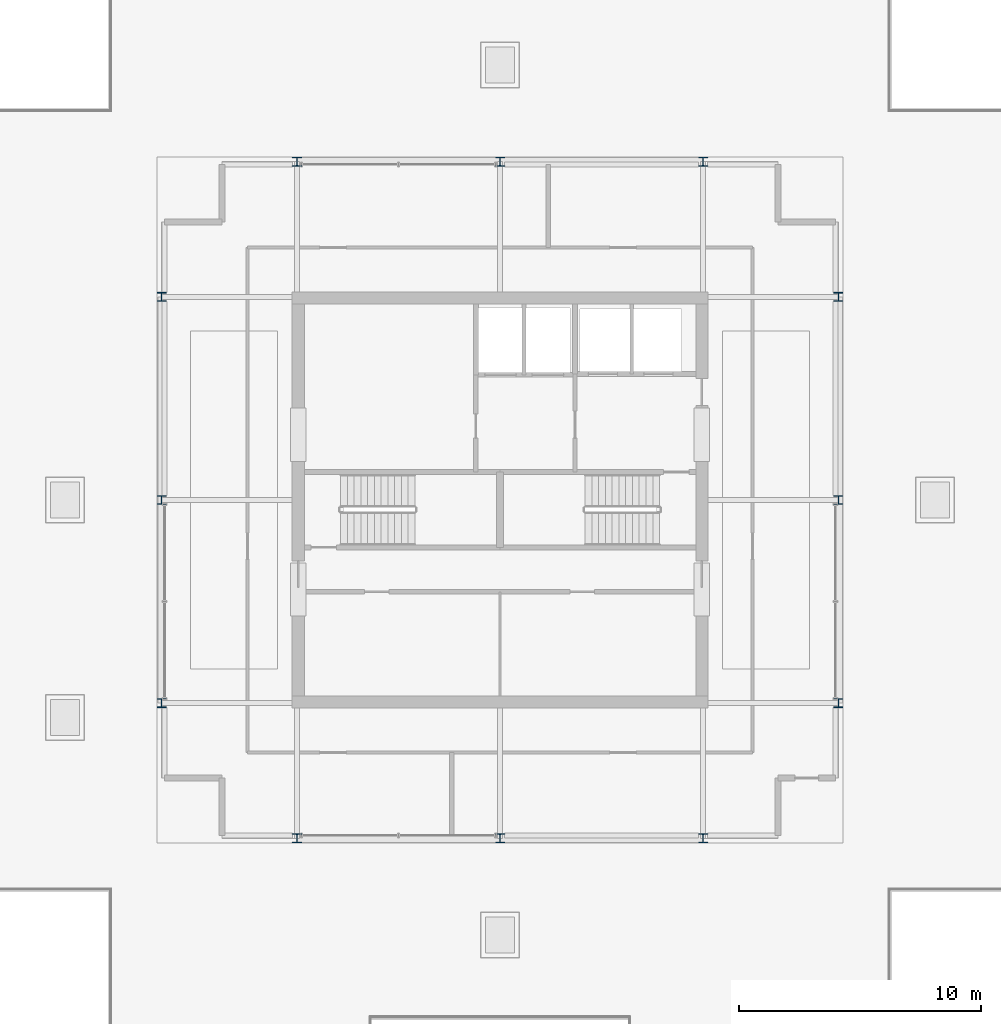
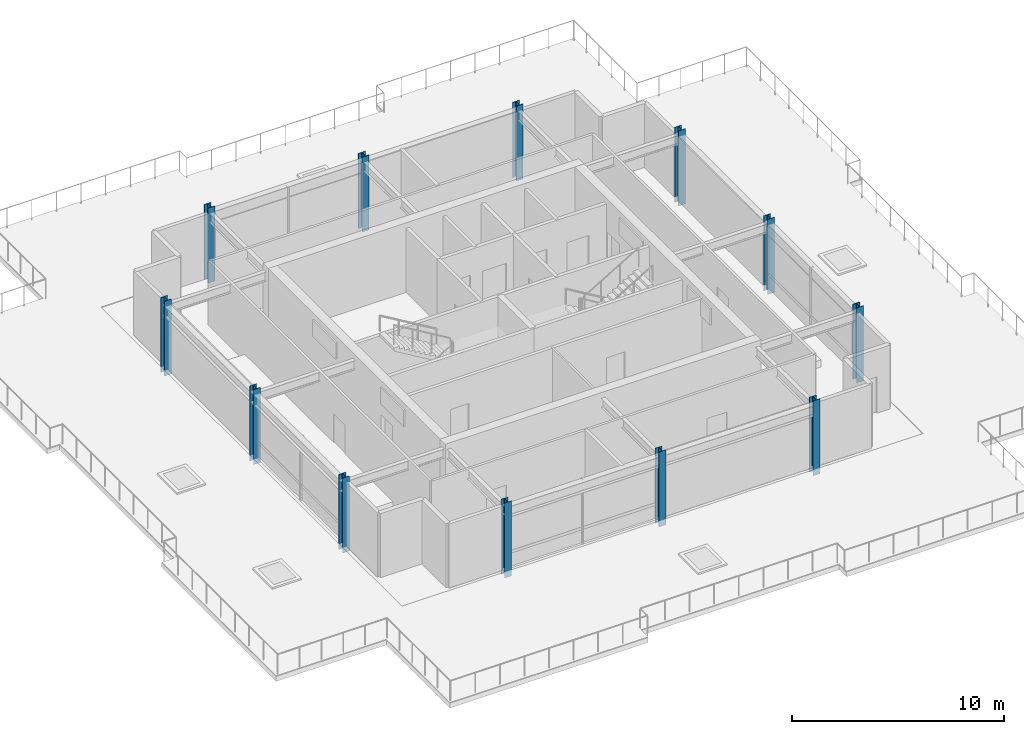
# One storey, part 1 of 17: 12 columns.
"""IFC4 building model written with IfcOpenShell, lengths in metres."""

from ifc_helpers import new_model, si_unit, direction, frame, origin, origin_2d, place, context, subcontext, project, spatial, i_section, extrude, material, material_profile, profile_set, type_object, element, save


model = new_model("IFC4")

# Units and contexts
model_context = context("Model", 3, precision=1e-05, world=origin(), true_north=direction((0.0, 1.0)))
body_context = subcontext(model_context, "Body", "Model", "MODEL_VIEW")
ifc_project = project(units=[si_unit("LENGTHUNIT", "METRE"), si_unit("AREAUNIT", "SQUARE_METRE"), si_unit("VOLUMEUNIT", "CUBIC_METRE"), si_unit("PLANEANGLEUNIT", "RADIAN"), si_unit("MASSUNIT", "GRAM", prefix="KILO")], contexts=[model_context])

# Site, building, storey
site_placement = place(None, origin())
site = spatial("IfcSite", under=ifc_project, at=site_placement, CompositionType="ELEMENT")
building_placement = place(site_placement, origin())
building = spatial("IfcBuilding", under=site, at=building_placement, Name="Drelvath Grand Hotel", CompositionType="ELEMENT")
storey_placement = place(building_placement, frame((0.0, 0.0, 311.39990234375)))
storey = spatial("IfcBuildingStorey", under=building, at=storey_placement, Name="L81", CompositionType="ELEMENT", Elevation=311.39990234375)

# Columns
ifc_material = material(Name="Steel ASTM A913 Gr 65", Category="steel")
ifc_material_profile = material_profile(ifc_material, i_section(OverallWidth=0.3740234375, OverallDepth=0.372314453125, WebThickness=0.016357421875, FlangeThickness=0.026123046875, FilletRadius=0.02490234375, at=origin_2d()), Name="W14X132")
ifc_profile_set = profile_set([ifc_material_profile], Name="Steel ASTM A913 Gr 65")
column_type = type_object("IfcColumnType", Name="Perimeter Steel Column W14X132", PredefinedType="COLUMN", material=ifc_profile_set)
for number, where, z_axis, x_axis, name in (
    (1, (-14.0, 18.60009765625, -0.31982421875), (0.0, 0.0, 1.0), (1.0, 0.0, 0.0), "L81 Structural Column DC-W1"),
    (2, (-14.0, 27.0, -0.31982421875), (0.0, 0.0, 1.0), (1.0, 0.0, 0.0), "L81 Structural Column DC-W2"),
    (3, (-14.0, 35.39990234375, -0.31982421875), (0.0, 0.0, 1.0), (1.0, 0.0, 0.0), "L81 Structural Column DC-W3"),
    (4, (14.0, 18.60009765625, -0.31982421875), (0.0, 0.0, 1.0), (1.0, 0.0, 0.0), "L81 Structural Column DC-E1"),
    (5, (14.0, 27.0, -0.31982421875), (0.0, 0.0, 1.0), (1.0, 0.0, 0.0), "L81 Structural Column DC-E2"),
    (6, (14.0, 35.39990234375, -0.31982421875), (0.0, 0.0, 1.0), (1.0, 0.0, 0.0), "L81 Structural Column DC-E3"),
    (7, (-8.39990234375, 13.0, -0.31982421875), (0.0, 0.0, 1.0), (1.0, 0.0, 0.0), "L81 Structural Column DC-S1"),
    (8, (0.0, 13.0, -0.31982421875), (0.0, 0.0, 1.0), (1.0, 0.0, 0.0), "L81 Structural Column DC-S2"),
    (9, (8.39990234375, 13.0, -0.31982421875), (0.0, 0.0, 1.0), (1.0, 0.0, 0.0), "L81 Structural Column DC-S3"),
    (10, (-8.39990234375, 41.0, -0.31982421875), (0.0, 0.0, 1.0), (1.0, 0.0, 0.0), "L81 Structural Column DC-N1"),
    (11, (0.0, 41.0, -0.31982421875), (0.0, 0.0, 1.0), (1.0, 0.0, 0.0), "L81 Structural Column DC-N2"),
    (12, (8.39990234375, 41.0, -0.31982421875), (0.0, 0.0, 1.0), (1.0, 0.0, 0.0), "L81 Structural Column DC-N3"),
):
    element("IfcColumn", number, at=place(storey_placement, frame(where, z_axis=z_axis, x_axis=x_axis)), inside=storey, type_object=column_type, Name=name, PredefinedType="COLUMN", context=body_context, shape_type="SweptSolid", body=[
        extrude(i_section(OverallWidth=0.3740234375, OverallDepth=0.372314453125, WebThickness=0.016357421875, FlangeThickness=0.026123046875, FilletRadius=0.02490234375, at=origin_2d()), origin(), (0.0, 0.0, 1.0), 4.31689453125),
    ])

save(model, "model.ifc")
